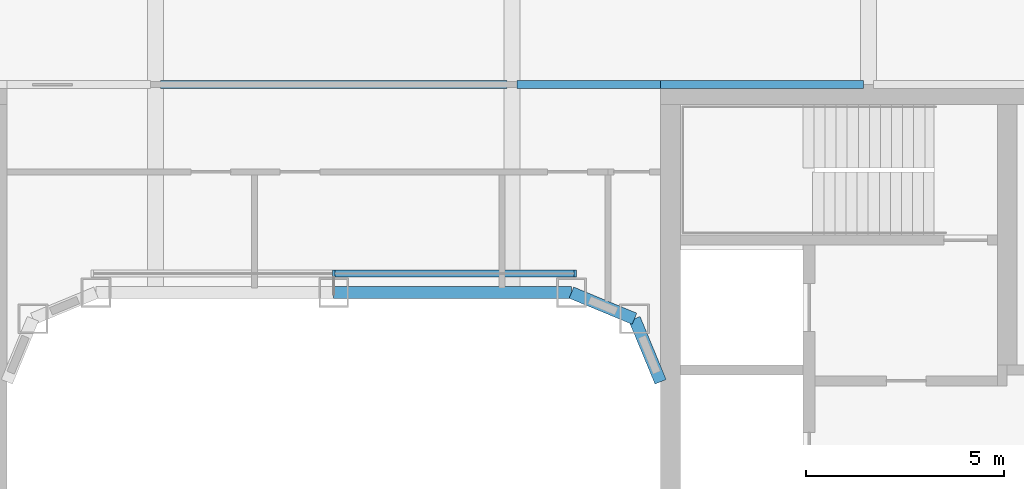
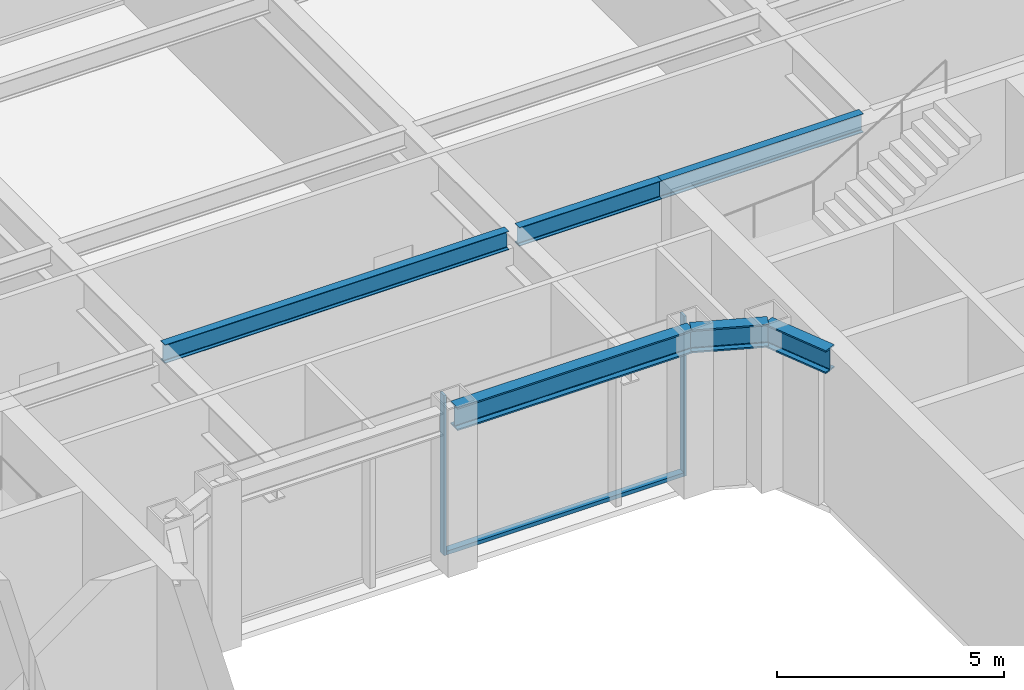
# One storey, part 8 of 27: 6 beams, 3 members, 1 element without a shape of its own.
"""IFC4 building model written with IfcOpenShell, lengths in metres."""

from ifc_helpers import new_model, si_unit, direction, frame, origin, origin_2d, place, context, subcontext, project, spatial, rectangle, i_section, extrude, material, layer, layer_set, material_profile, profile_set, type_object, element, aggregate, save


model = new_model("IFC4")

# Units and contexts
model_context = context("Model", 3, precision=1e-05, world=origin(), true_north=direction((0.0, 1.0)))
body_context = subcontext(model_context, "Body", "Model", "MODEL_VIEW")
ifc_project = project(units=[si_unit("LENGTHUNIT", "METRE"), si_unit("AREAUNIT", "SQUARE_METRE"), si_unit("VOLUMEUNIT", "CUBIC_METRE"), si_unit("PLANEANGLEUNIT", "RADIAN"), si_unit("MASSUNIT", "GRAM", prefix="KILO")], contexts=[model_context])

# Site, building, storey
site_placement = place(None, origin())
site = spatial("IfcSite", under=ifc_project, at=site_placement, CompositionType="ELEMENT")
building_placement = place(site_placement, origin())
building = spatial("IfcBuilding", under=site, at=building_placement, Name="Siwar Civic Tower", CompositionType="ELEMENT")
storey_placement = place(building_placement, frame((0.0, 0.0, 89.699951171875)))
storey = spatial("IfcBuildingStorey", under=building, at=storey_placement, Name="L19", CompositionType="ELEMENT", Elevation=89.699951171875)

# Curtain wall, members
ifc_material_1 = material(Name="Aluminium and glass", Category="aluminium")
ifc_layer = layer(ifc_material_1, 0.179931640625)
ifc_layer_set = layer_set([ifc_layer], Name="Aluminium and glass")
curtain_wall_type = type_object("IfcCurtainWallType", Name="ENV-CW-W", PredefinedType="NOTDEFINED", material=ifc_layer_set)
curtain_wall_placement = place(storey_placement, origin())
curtain_wall = element("IfcCurtainWall", 1, at=curtain_wall_placement, inside=storey, type_object=curtain_wall_type, Name="Curtain wall W WN", PredefinedType="NOTDEFINED")
ifc_material_2 = material(Name="Aluminium 6063-T6", Category="aluminium")
ifc_material_profile_1 = material_profile(ifc_material_2, rectangle(XDim=0.179931640625, YDim=0.06005859375, at=origin_2d()), Name="AL 180x60")
ifc_profile_set_1 = profile_set([ifc_material_profile_1], Name="Aluminium 6063-T6")
member_type_1 = type_object("IfcMemberType", Name="ENV-MULLION-W", PredefinedType="MULLION", material=ifc_profile_set_1)
member_1_placement = place(storey_placement, frame((6.096435546875, 8.735107421875, 0.0), z_axis=(0.0, 0.0, 1.0), x_axis=(0.0, -1.0, 0.0)))
member_1 = element("IfcMember", 2, at=member_1_placement, type_object=member_type_1, Name="Mullion W WN 1", PredefinedType="MULLION", context=body_context, shape_type="SweptSolid", body=[
    extrude(rectangle(XDim=0.179931640625, YDim=0.06005859375, at=origin_2d()), origin(), (0.0, 0.0, 1.0), 4.300048828125),
])
member_2_placement = place(storey_placement, frame((0.0, 8.735107421875, 0.0), z_axis=(0.0, 0.0, 1.0), x_axis=(0.0, -1.0, 0.0)))
member_2 = element("IfcMember", 3, at=member_2_placement, type_object=member_type_1, Name="Mullion W WN 2", PredefinedType="MULLION", context=body_context, shape_type="SweptSolid", body=[
    extrude(rectangle(XDim=0.179931640625, YDim=0.06005859375, at=origin_2d()), origin(), (0.0, 0.0, 1.0), 4.300048828125),
])
ifc_material_3 = material(Name="Aluminium 6063-T6", Category="aluminium")
ifc_material_profile_2 = material_profile(ifc_material_3, rectangle(XDim=0.179931640625, YDim=0.10009765625, at=origin_2d()), Name="AL 180x100")
ifc_profile_set_2 = profile_set([ifc_material_profile_2], Name="Aluminium 6063-T6")
member_type_2 = type_object("IfcMemberType", Name="ENV-TRANSOM-W", PredefinedType="USERDEFINED", material=ifc_profile_set_2)
member_3_placement = place(storey_placement, frame((6.06640625, 8.735107421875, 0.050048828125), z_axis=(-1.0, 0.0, 0.0), x_axis=(0.0, -1.0, 0.0)))
member_3 = element("IfcMember", 4, at=member_3_placement, type_object=member_type_2, Name="Transom W WN 1", ObjectType="TRANSOM", PredefinedType="USERDEFINED", context=body_context, shape_type="SweptSolid", body=[
    extrude(rectangle(XDim=0.179931640625, YDim=0.10009765625, at=origin_2d()), origin(), (0.0, 0.0, 1.0), 6.036376953125),
])
aggregate(curtain_wall, [member_1, member_2, member_3])

# Beams
ifc_material_4 = material(Name="Steel S355", Category="steel")
ifc_material_profile_3 = material_profile(ifc_material_4, i_section(OverallWidth=0.199951171875, OverallDepth=0.5, WebThickness=0.01025390625, FlangeThickness=0.01611328125, FilletRadius=0.02099609375, at=origin_2d()), Name="IPE500")
ifc_profile_set_3 = profile_set([ifc_material_profile_3], Name="Steel S355")
beam_type_1 = type_object("IfcBeamType", Name="STR-FB-IPE500", PredefinedType="JOIST", material=ifc_profile_set_3)
beam_1_placement = place(storey_placement, frame((-4.3701171875, 13.5, 4.050048828125), z_axis=(1.0, 0.0, 0.0), x_axis=(0.0, 1.0, 0.0)))
element("IfcBeam", 5, at=beam_1_placement, inside=storey, type_object=beam_type_1, Name="L19/bm/F041", PredefinedType="JOIST", context=body_context, shape_type="SweptSolid", body=[
    extrude(i_section(OverallWidth=0.199951171875, OverallDepth=0.5, WebThickness=0.01025390625, FlangeThickness=0.01611328125, FilletRadius=0.02099609375, at=origin_2d()), origin(), (0.0, 0.0, 1.0), 8.740234375),
])
beam_2_placement = place(storey_placement, frame((4.6298828125, 13.5, 4.050048828125), z_axis=(1.0, 0.0, 0.0), x_axis=(0.0, 1.0, 0.0)))
element("IfcBeam", 6, at=beam_2_placement, inside=storey, type_object=beam_type_1, Name="L19/bm/F042", PredefinedType="JOIST", context=body_context, shape_type="SweptSolid", body=[
    extrude(i_section(OverallWidth=0.199951171875, OverallDepth=0.5, WebThickness=0.01025390625, FlangeThickness=0.01611328125, FilletRadius=0.02099609375, at=origin_2d()), origin(), (0.0, 0.0, 1.0), 3.6201171875),
])
beam_3_placement = place(storey_placement, frame((8.25, 13.5, 4.050048828125), z_axis=(1.0, 0.0, 0.0), x_axis=(0.0, 1.0, 0.0)))
element("IfcBeam", 7, at=beam_3_placement, inside=storey, type_object=beam_type_1, Name="L19/bm/F043", PredefinedType="JOIST", context=body_context, shape_type="SweptSolid", body=[
    extrude(i_section(OverallWidth=0.199951171875, OverallDepth=0.5, WebThickness=0.01025390625, FlangeThickness=0.01611328125, FilletRadius=0.02099609375, at=origin_2d()), origin(), (0.0, 0.0, 1.0), 5.1201171875),
])
ifc_material_5 = material(Name="Steel S355", Category="steel")
ifc_material_profile_4 = material_profile(ifc_material_5, i_section(OverallWidth=0.304931640625, OverallDepth=0.6201171875, WebThickness=0.02099609375, FlangeThickness=0.0400390625, FilletRadius=0.027099609375, at=origin_2d()), Name="HEM600")
ifc_profile_set_4 = profile_set([ifc_material_profile_4], Name="Steel S355")
beam_type_2 = type_object("IfcBeamType", Name="STR-RB-HEM600", PredefinedType="BEAM", material=ifc_profile_set_4)
beam_4_placement = place(storey_placement, frame((0.0, 8.25, 3.989990234375), z_axis=(1.0, 0.0, 0.0), x_axis=(0.0, 1.0, 0.0)))
element("IfcBeam", 8, at=beam_4_placement, inside=storey, type_object=beam_type_2, Name="L19/bm/RN2", PredefinedType="BEAM", context=body_context, shape_type="SweptSolid", body=[
    extrude(i_section(OverallWidth=0.304931640625, OverallDepth=0.6201171875, WebThickness=0.02099609375, FlangeThickness=0.0400390625, FilletRadius=0.027099609375, at=origin_2d()), origin(), (0.0, 0.0, 1.0), 6.0),
])
for number, where, z_axis, x_axis, name in (
    (9, (6.0, 8.25, 3.989990234375), (0.923901072997, -0.382631424892, 0.0), (0.382631424892, 0.923901072997, 0.0), "L19/bm/RN3"),
    (10, (7.591064453125, 7.591064453125, 3.989990234375), (0.382631424892, -0.923901072997, 0.0), (0.923901072997, 0.382631424892, 0.0), "L19/bm/RNEE"),
):
    element("IfcBeam", number, at=place(storey_placement, frame(where, z_axis=z_axis, x_axis=x_axis)), inside=storey, type_object=beam_type_2, Name=name, PredefinedType="BEAM", context=body_context, shape_type="SweptSolid", body=[
        extrude(i_section(OverallWidth=0.304931640625, OverallDepth=0.6201171875, WebThickness=0.02099609375, FlangeThickness=0.0400390625, FilletRadius=0.027099609375, at=origin_2d()), origin(), (0.0, 0.0, 1.0), 1.72216796875),
    ])

save(model, "model.ifc")
